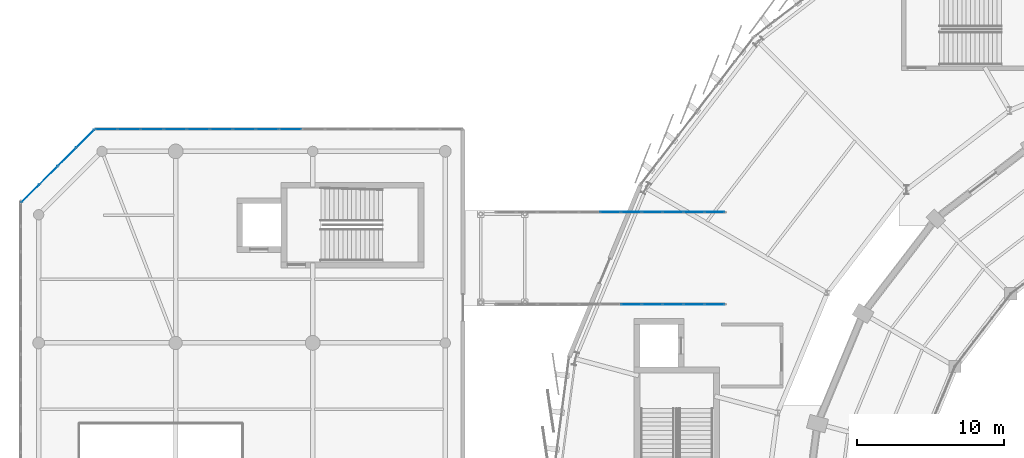
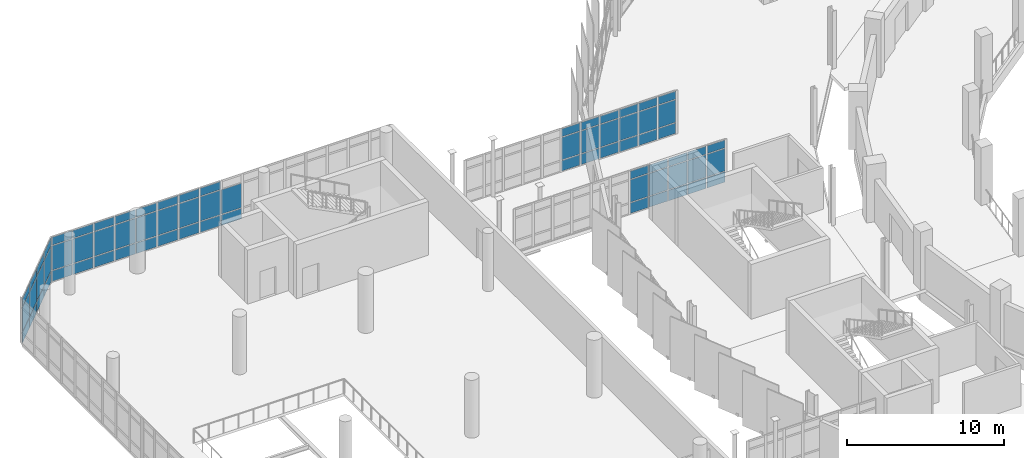
# One storey, part 88 of 125: 71 plates, 4 elements without a shape of their own.
"""IFC4 building model written with IfcOpenShell, lengths in metres."""

from ifc_helpers import new_model, si_unit, direction, frame, origin, origin_2d, place, context, subcontext, project, spatial, rectangle, extrude, material, layer, layer_set, type_object, element, aggregate, save


model = new_model("IFC4")

# Units and contexts
model_context = context("Model", 3, precision=1e-05, world=origin(), true_north=direction((0.0, 1.0)))
body_context = subcontext(model_context, "Body", "Model", "MODEL_VIEW")
ifc_project = project(units=[si_unit("LENGTHUNIT", "METRE"), si_unit("AREAUNIT", "SQUARE_METRE"), si_unit("VOLUMEUNIT", "CUBIC_METRE"), si_unit("PLANEANGLEUNIT", "RADIAN"), si_unit("MASSUNIT", "GRAM", prefix="KILO")], contexts=[model_context])

# Site, building, storey
site_placement = place(None, origin())
site = spatial("IfcSite", under=ifc_project, at=site_placement, CompositionType="ELEMENT")
building_placement = place(site_placement, origin())
building = spatial("IfcBuilding", under=site, at=building_placement, Name="Sohan Crest Arena", CompositionType="ELEMENT")
storey_placement = place(building_placement, frame((0.0, 0.0, 9.0)))
storey = spatial("IfcBuildingStorey", under=building, at=storey_placement, Name="L02", CompositionType="ELEMENT", Elevation=9.0)

# Curtain wall, plates
ifc_material_1 = material(Name="Thermally broken anodised aluminium", Category="aluminium")
ifc_layer_1 = layer(ifc_material_1, 0.199951171875, Name="Thermally broken anodised aluminium")
ifc_layer_set_1 = layer_set([ifc_layer_1], Name="Thermally broken anodised aluminium")
curtain_wall_type_1 = type_object("IfcCurtainWallType", Name="ARC-CW02", PredefinedType="NOTDEFINED", material=ifc_layer_set_1)
curtain_wall_1_placement = place(storey_placement, origin())
curtain_wall_1 = element("IfcCurtainWall", 1, at=curtain_wall_1_placement, inside=storey, type_object=curtain_wall_type_1, Name="Unitised curtain wall CW-214", PredefinedType="NOTDEFINED")
ifc_material_2 = material(Name="Low-E double-glazed insulated glass", Category="glass")
ifc_layer_2 = layer(ifc_material_2, 0.028076171875, Name="Low-E double-glazed insulated glass")
ifc_layer_set_2 = layer_set([ifc_layer_2], Name="Low-E double-glazed insulated glass")
plate_type = type_object("IfcPlateType", Name="ARC-CNP01", PredefinedType="CURTAIN_PANEL", material=ifc_layer_set_2)
plate_1_placement = place(storey_placement, frame((32.28125, 106.0, 0.06005859375), z_axis=(0.0, 0.0, 1.0), x_axis=(-1.0, 0.0, 0.0)))
plate_1 = element("IfcPlate", 2, at=plate_1_placement, type_object=plate_type, Name="CW-214 panel 8.1", PredefinedType="CURTAIN_PANEL", context=body_context, shape_type="SweptSolid", body=[
    extrude(rectangle(XDim=1.49755859375, YDim=0.028076171875, at=origin_2d()), origin(), (0.0, 0.0, 1.0), 0.81005859375),
])
plate_2_placement = place(storey_placement, frame((32.28125, 106.0, 0.93017578125), z_axis=(0.0, 0.0, 1.0), x_axis=(-1.0, 0.0, 0.0)))
plate_2 = element("IfcPlate", 3, at=plate_2_placement, type_object=plate_type, Name="CW-214 panel 8.2", PredefinedType="CURTAIN_PANEL", context=body_context, shape_type="SweptSolid", body=[
    extrude(rectangle(XDim=1.49755859375, YDim=0.028076171875, at=origin_2d()), origin(), (0.0, 0.0, 1.0), 1.889892578125),
])
plate_3_placement = place(storey_placement, frame((30.71875, 106.0, 0.06005859375), z_axis=(0.0, 0.0, 1.0), x_axis=(-1.0, 0.0, 0.0)))
plate_3 = element("IfcPlate", 4, at=plate_3_placement, type_object=plate_type, Name="CW-214 panel 9.1", PredefinedType="CURTAIN_PANEL", context=body_context, shape_type="SweptSolid", body=[
    extrude(rectangle(XDim=1.49755859375, YDim=0.028076171875, at=origin_2d()), origin(), (0.0, 0.0, 1.0), 0.81005859375),
])
plate_4_placement = place(storey_placement, frame((30.71875, 106.0, 0.93017578125), z_axis=(0.0, 0.0, 1.0), x_axis=(-1.0, 0.0, 0.0)))
plate_4 = element("IfcPlate", 5, at=plate_4_placement, type_object=plate_type, Name="CW-214 panel 9.2", PredefinedType="CURTAIN_PANEL", context=body_context, shape_type="SweptSolid", body=[
    extrude(rectangle(XDim=1.49755859375, YDim=0.028076171875, at=origin_2d()), origin(), (0.0, 0.0, 1.0), 1.889892578125),
])
plate_5_placement = place(storey_placement, frame((30.71875, 106.0, 2.8798828125), z_axis=(0.0, 0.0, 1.0), x_axis=(-1.0, 0.0, 0.0)))
plate_5 = element("IfcPlate", 6, at=plate_5_placement, type_object=plate_type, Name="CW-214 panel 9.3", PredefinedType="CURTAIN_PANEL", context=body_context, shape_type="SweptSolid", body=[
    extrude(rectangle(XDim=1.49755859375, YDim=0.028076171875, at=origin_2d()), origin(), (0.0, 0.0, 1.0), 0.610107421875),
])
plate_6_placement = place(storey_placement, frame((29.15625, 106.0, 0.06005859375), z_axis=(0.0, 0.0, 1.0), x_axis=(-1.0, 0.0, 0.0)))
plate_6 = element("IfcPlate", 7, at=plate_6_placement, type_object=plate_type, Name="CW-214 panel 10.1", PredefinedType="CURTAIN_PANEL", context=body_context, shape_type="SweptSolid", body=[
    extrude(rectangle(XDim=1.49755859375, YDim=0.028076171875, at=origin_2d()), origin(), (0.0, 0.0, 1.0), 0.81005859375),
])
plate_7_placement = place(storey_placement, frame((29.15625, 106.0, 0.93017578125), z_axis=(0.0, 0.0, 1.0), x_axis=(-1.0, 0.0, 0.0)))
plate_7 = element("IfcPlate", 8, at=plate_7_placement, type_object=plate_type, Name="CW-214 panel 10.2", PredefinedType="CURTAIN_PANEL", context=body_context, shape_type="SweptSolid", body=[
    extrude(rectangle(XDim=1.49755859375, YDim=0.028076171875, at=origin_2d()), origin(), (0.0, 0.0, 1.0), 1.889892578125),
])
plate_8_placement = place(storey_placement, frame((29.15625, 106.0, 2.8798828125), z_axis=(0.0, 0.0, 1.0), x_axis=(-1.0, 0.0, 0.0)))
plate_8 = element("IfcPlate", 9, at=plate_8_placement, type_object=plate_type, Name="CW-214 panel 10.3", PredefinedType="CURTAIN_PANEL", context=body_context, shape_type="SweptSolid", body=[
    extrude(rectangle(XDim=1.49755859375, YDim=0.028076171875, at=origin_2d()), origin(), (0.0, 0.0, 1.0), 0.610107421875),
])
plate_9_placement = place(storey_placement, frame((27.59375, 106.0, 0.06005859375), z_axis=(0.0, 0.0, 1.0), x_axis=(-1.0, 0.0, 0.0)))
plate_9 = element("IfcPlate", 10, at=plate_9_placement, type_object=plate_type, Name="CW-214 panel 11.1", PredefinedType="CURTAIN_PANEL", context=body_context, shape_type="SweptSolid", body=[
    extrude(rectangle(XDim=1.49755859375, YDim=0.028076171875, at=origin_2d()), origin(), (0.0, 0.0, 1.0), 0.81005859375),
])
plate_10_placement = place(storey_placement, frame((27.59375, 106.0, 0.93017578125), z_axis=(0.0, 0.0, 1.0), x_axis=(-1.0, 0.0, 0.0)))
plate_10 = element("IfcPlate", 11, at=plate_10_placement, type_object=plate_type, Name="CW-214 panel 11.2", PredefinedType="CURTAIN_PANEL", context=body_context, shape_type="SweptSolid", body=[
    extrude(rectangle(XDim=1.49755859375, YDim=0.028076171875, at=origin_2d()), origin(), (0.0, 0.0, 1.0), 1.889892578125),
])
plate_11_placement = place(storey_placement, frame((27.59375, 106.0, 2.8798828125), z_axis=(0.0, 0.0, 1.0), x_axis=(-1.0, 0.0, 0.0)))
plate_11 = element("IfcPlate", 12, at=plate_11_placement, type_object=plate_type, Name="CW-214 panel 11.3", PredefinedType="CURTAIN_PANEL", context=body_context, shape_type="SweptSolid", body=[
    extrude(rectangle(XDim=1.49755859375, YDim=0.028076171875, at=origin_2d()), origin(), (0.0, 0.0, 1.0), 0.610107421875),
])
plate_12_placement = place(storey_placement, frame((26.03125, 106.0, 0.06005859375), z_axis=(0.0, 0.0, 1.0), x_axis=(-1.0, 0.0, 0.0)))
plate_12 = element("IfcPlate", 13, at=plate_12_placement, type_object=plate_type, Name="CW-214 panel 12.1", PredefinedType="CURTAIN_PANEL", context=body_context, shape_type="SweptSolid", body=[
    extrude(rectangle(XDim=1.49755859375, YDim=0.028076171875, at=origin_2d()), origin(), (0.0, 0.0, 1.0), 0.81005859375),
])
plate_13_placement = place(storey_placement, frame((26.03125, 106.0, 0.93017578125), z_axis=(0.0, 0.0, 1.0), x_axis=(-1.0, 0.0, 0.0)))
plate_13 = element("IfcPlate", 14, at=plate_13_placement, type_object=plate_type, Name="CW-214 panel 12.2", PredefinedType="CURTAIN_PANEL", context=body_context, shape_type="SweptSolid", body=[
    extrude(rectangle(XDim=1.49755859375, YDim=0.028076171875, at=origin_2d()), origin(), (0.0, 0.0, 1.0), 1.889892578125),
])
plate_14_placement = place(storey_placement, frame((26.03125, 106.0, 2.8798828125), z_axis=(0.0, 0.0, 1.0), x_axis=(-1.0, 0.0, 0.0)))
plate_14 = element("IfcPlate", 15, at=plate_14_placement, type_object=plate_type, Name="CW-214 panel 12.3", PredefinedType="CURTAIN_PANEL", context=body_context, shape_type="SweptSolid", body=[
    extrude(rectangle(XDim=1.49755859375, YDim=0.028076171875, at=origin_2d()), origin(), (0.0, 0.0, 1.0), 0.610107421875),
])
plate_15_placement = place(storey_placement, frame((24.46875, 106.0, 0.06005859375), z_axis=(0.0, 0.0, 1.0), x_axis=(-1.0, 0.0, 0.0)))
plate_15 = element("IfcPlate", 16, at=plate_15_placement, type_object=plate_type, Name="CW-214 panel 13.1", PredefinedType="CURTAIN_PANEL", context=body_context, shape_type="SweptSolid", body=[
    extrude(rectangle(XDim=1.49755859375, YDim=0.028076171875, at=origin_2d()), origin(), (0.0, 0.0, 1.0), 0.81005859375),
])
plate_16_placement = place(storey_placement, frame((24.46875, 106.0, 0.93017578125), z_axis=(0.0, 0.0, 1.0), x_axis=(-1.0, 0.0, 0.0)))
plate_16 = element("IfcPlate", 17, at=plate_16_placement, type_object=plate_type, Name="CW-214 panel 13.2", PredefinedType="CURTAIN_PANEL", context=body_context, shape_type="SweptSolid", body=[
    extrude(rectangle(XDim=1.49755859375, YDim=0.028076171875, at=origin_2d()), origin(), (0.0, 0.0, 1.0), 1.889892578125),
])
plate_17_placement = place(storey_placement, frame((24.46875, 106.0, 2.8798828125), z_axis=(0.0, 0.0, 1.0), x_axis=(-1.0, 0.0, 0.0)))
plate_17 = element("IfcPlate", 18, at=plate_17_placement, type_object=plate_type, Name="CW-214 panel 13.3", PredefinedType="CURTAIN_PANEL", context=body_context, shape_type="SweptSolid", body=[
    extrude(rectangle(XDim=1.49755859375, YDim=0.028076171875, at=origin_2d()), origin(), (0.0, 0.0, 1.0), 0.610107421875),
])
plate_18_placement = place(storey_placement, frame((22.90625, 106.0, 0.06005859375), z_axis=(0.0, 0.0, 1.0), x_axis=(-1.0, 0.0, 0.0)))
plate_18 = element("IfcPlate", 19, at=plate_18_placement, type_object=plate_type, Name="CW-214 panel 14.1", PredefinedType="CURTAIN_PANEL", context=body_context, shape_type="SweptSolid", body=[
    extrude(rectangle(XDim=1.49755859375, YDim=0.028076171875, at=origin_2d()), origin(), (0.0, 0.0, 1.0), 0.81005859375),
])
plate_19_placement = place(storey_placement, frame((22.90625, 106.0, 0.93017578125), z_axis=(0.0, 0.0, 1.0), x_axis=(-1.0, 0.0, 0.0)))
plate_19 = element("IfcPlate", 20, at=plate_19_placement, type_object=plate_type, Name="CW-214 panel 14.2", PredefinedType="CURTAIN_PANEL", context=body_context, shape_type="SweptSolid", body=[
    extrude(rectangle(XDim=1.49755859375, YDim=0.028076171875, at=origin_2d()), origin(), (0.0, 0.0, 1.0), 1.889892578125),
])
plate_20_placement = place(storey_placement, frame((22.90625, 106.0, 2.8798828125), z_axis=(0.0, 0.0, 1.0), x_axis=(-1.0, 0.0, 0.0)))
plate_20 = element("IfcPlate", 21, at=plate_20_placement, type_object=plate_type, Name="CW-214 panel 14.3", PredefinedType="CURTAIN_PANEL", context=body_context, shape_type="SweptSolid", body=[
    extrude(rectangle(XDim=1.49755859375, YDim=0.028076171875, at=origin_2d()), origin(), (0.0, 0.0, 1.0), 0.610107421875),
])
plate_21_placement = place(storey_placement, frame((21.34375, 106.0, 0.06005859375), z_axis=(0.0, 0.0, 1.0), x_axis=(-1.0, 0.0, 0.0)))
plate_21 = element("IfcPlate", 22, at=plate_21_placement, type_object=plate_type, Name="CW-214 panel 15.1", PredefinedType="CURTAIN_PANEL", context=body_context, shape_type="SweptSolid", body=[
    extrude(rectangle(XDim=1.49755859375, YDim=0.028076171875, at=origin_2d()), origin(), (0.0, 0.0, 1.0), 0.81005859375),
])
plate_22_placement = place(storey_placement, frame((21.34375, 106.0, 0.93017578125), z_axis=(0.0, 0.0, 1.0), x_axis=(-1.0, 0.0, 0.0)))
plate_22 = element("IfcPlate", 23, at=plate_22_placement, type_object=plate_type, Name="CW-214 panel 15.2", PredefinedType="CURTAIN_PANEL", context=body_context, shape_type="SweptSolid", body=[
    extrude(rectangle(XDim=1.49755859375, YDim=0.028076171875, at=origin_2d()), origin(), (0.0, 0.0, 1.0), 1.889892578125),
])
plate_23_placement = place(storey_placement, frame((21.34375, 106.0, 2.8798828125), z_axis=(0.0, 0.0, 1.0), x_axis=(-1.0, 0.0, 0.0)))
plate_23 = element("IfcPlate", 24, at=plate_23_placement, type_object=plate_type, Name="CW-214 panel 15.3", PredefinedType="CURTAIN_PANEL", context=body_context, shape_type="SweptSolid", body=[
    extrude(rectangle(XDim=1.49755859375, YDim=0.028076171875, at=origin_2d()), origin(), (0.0, 0.0, 1.0), 0.610107421875),
])
plate_24_placement = place(storey_placement, frame((19.797607421875, 106.0, 0.06005859375), z_axis=(0.0, 0.0, 1.0), x_axis=(-1.0, 0.0, 0.0)))
plate_24 = element("IfcPlate", 25, at=plate_24_placement, type_object=plate_type, Name="CW-214 panel 16.1", PredefinedType="CURTAIN_PANEL", context=body_context, shape_type="SweptSolid", body=[
    extrude(rectangle(XDim=1.465087890625, YDim=0.028076171875, at=origin_2d()), origin(), (0.0, 0.0, 1.0), 0.81005859375),
])
plate_25_placement = place(storey_placement, frame((19.797607421875, 106.0, 0.93017578125), z_axis=(0.0, 0.0, 1.0), x_axis=(-1.0, 0.0, 0.0)))
plate_25 = element("IfcPlate", 26, at=plate_25_placement, type_object=plate_type, Name="CW-214 panel 16.2", PredefinedType="CURTAIN_PANEL", context=body_context, shape_type="SweptSolid", body=[
    extrude(rectangle(XDim=1.465087890625, YDim=0.028076171875, at=origin_2d()), origin(), (0.0, 0.0, 1.0), 1.889892578125),
])
plate_26_placement = place(storey_placement, frame((19.797607421875, 106.0, 2.8798828125), z_axis=(0.0, 0.0, 1.0), x_axis=(-1.0, 0.0, 0.0)))
plate_26 = element("IfcPlate", 27, at=plate_26_placement, type_object=plate_type, Name="CW-214 panel 16.3", PredefinedType="CURTAIN_PANEL", context=body_context, shape_type="SweptSolid", body=[
    extrude(rectangle(XDim=1.465087890625, YDim=0.028076171875, at=origin_2d()), origin(), (0.0, 0.0, 1.0), 0.610107421875),
])
aggregate(curtain_wall_1, [plate_1, plate_2, plate_3, plate_4, plate_5, plate_6, plate_7, plate_8, plate_9, plate_10, plate_11, plate_12, plate_13, plate_14, plate_15, plate_16, plate_17, plate_18, plate_19, plate_20, plate_21, plate_22, plate_23, plate_24, plate_25, plate_26])

curtain_wall_2_placement = place(storey_placement, origin())
curtain_wall_2 = element("IfcCurtainWall", 28, at=curtain_wall_2_placement, inside=storey, type_object=curtain_wall_type_1, Name="Unitised curtain wall CW-215", PredefinedType="NOTDEFINED")
plate_27_placement = place(storey_placement, frame((18.363525390625, 105.363525390625, 0.06005859375), z_axis=(0.0, 0.0, 1.0), x_axis=(-0.707106781187, -0.707106781187, 0.0)))
plate_27 = element("IfcPlate", 29, at=plate_27_placement, type_object=plate_type, Name="CW-215 panel 1.1", PredefinedType="CURTAIN_PANEL", context=body_context, shape_type="SweptSolid", body=[
    extrude(rectangle(XDim=1.670166015625, YDim=0.028076171875, at=origin_2d()), origin(), (0.0, 0.0, 1.0), 0.81005859375),
])
plate_28_placement = place(storey_placement, frame((18.363525390625, 105.363525390625, 0.93017578125), z_axis=(0.0, 0.0, 1.0), x_axis=(-0.707106781187, -0.707106781187, 0.0)))
plate_28 = element("IfcPlate", 30, at=plate_28_placement, type_object=plate_type, Name="CW-215 panel 1.2", PredefinedType="CURTAIN_PANEL", context=body_context, shape_type="SweptSolid", body=[
    extrude(rectangle(XDim=1.670166015625, YDim=0.028076171875, at=origin_2d()), origin(), (0.0, 0.0, 1.0), 1.889892578125),
])
plate_29_placement = place(storey_placement, frame((18.363525390625, 105.363525390625, 2.8798828125), z_axis=(0.0, 0.0, 1.0), x_axis=(-0.707106781187, -0.707106781187, 0.0)))
plate_29 = element("IfcPlate", 31, at=plate_29_placement, type_object=plate_type, Name="CW-215 panel 1.3", PredefinedType="CURTAIN_PANEL", context=body_context, shape_type="SweptSolid", body=[
    extrude(rectangle(XDim=1.670166015625, YDim=0.028076171875, at=origin_2d()), origin(), (0.0, 0.0, 1.0), 0.610107421875),
])
plate_30_placement = place(storey_placement, frame((17.125, 104.125, 0.06005859375), z_axis=(0.0, 0.0, 1.0), x_axis=(-0.707106781187, -0.707106781187, 0.0)))
plate_30 = element("IfcPlate", 32, at=plate_30_placement, type_object=plate_type, Name="CW-215 panel 2.1", PredefinedType="CURTAIN_PANEL", context=body_context, shape_type="SweptSolid", body=[
    extrude(rectangle(XDim=1.702880859375, YDim=0.028076171875, at=origin_2d()), origin(), (0.0, 0.0, 1.0), 0.81005859375),
])
plate_31_placement = place(storey_placement, frame((17.125, 104.125, 0.93017578125), z_axis=(0.0, 0.0, 1.0), x_axis=(-0.707106781187, -0.707106781187, 0.0)))
plate_31 = element("IfcPlate", 33, at=plate_31_placement, type_object=plate_type, Name="CW-215 panel 2.2", PredefinedType="CURTAIN_PANEL", context=body_context, shape_type="SweptSolid", body=[
    extrude(rectangle(XDim=1.702880859375, YDim=0.028076171875, at=origin_2d()), origin(), (0.0, 0.0, 1.0), 1.889892578125),
])
plate_32_placement = place(storey_placement, frame((17.125, 104.125, 2.8798828125), z_axis=(0.0, 0.0, 1.0), x_axis=(-0.707106781187, -0.707106781187, 0.0)))
plate_32 = element("IfcPlate", 34, at=plate_32_placement, type_object=plate_type, Name="CW-215 panel 2.3", PredefinedType="CURTAIN_PANEL", context=body_context, shape_type="SweptSolid", body=[
    extrude(rectangle(XDim=1.702880859375, YDim=0.028076171875, at=origin_2d()), origin(), (0.0, 0.0, 1.0), 0.610107421875),
])
plate_33_placement = place(storey_placement, frame((15.875, 102.875, 0.06005859375), z_axis=(0.0, 0.0, 1.0), x_axis=(-0.707106781187, -0.707106781187, 0.0)))
plate_33 = element("IfcPlate", 35, at=plate_33_placement, type_object=plate_type, Name="CW-215 panel 3.1", PredefinedType="CURTAIN_PANEL", context=body_context, shape_type="SweptSolid", body=[
    extrude(rectangle(XDim=1.702880859375, YDim=0.028076171875, at=origin_2d()), origin(), (0.0, 0.0, 1.0), 0.81005859375),
])
plate_34_placement = place(storey_placement, frame((15.875, 102.875, 0.93017578125), z_axis=(0.0, 0.0, 1.0), x_axis=(-0.707106781187, -0.707106781187, 0.0)))
plate_34 = element("IfcPlate", 36, at=plate_34_placement, type_object=plate_type, Name="CW-215 panel 3.2", PredefinedType="CURTAIN_PANEL", context=body_context, shape_type="SweptSolid", body=[
    extrude(rectangle(XDim=1.702880859375, YDim=0.028076171875, at=origin_2d()), origin(), (0.0, 0.0, 1.0), 1.889892578125),
])
plate_35_placement = place(storey_placement, frame((15.875, 102.875, 2.8798828125), z_axis=(0.0, 0.0, 1.0), x_axis=(-0.707106781187, -0.707106781187, 0.0)))
plate_35 = element("IfcPlate", 37, at=plate_35_placement, type_object=plate_type, Name="CW-215 panel 3.3", PredefinedType="CURTAIN_PANEL", context=body_context, shape_type="SweptSolid", body=[
    extrude(rectangle(XDim=1.702880859375, YDim=0.028076171875, at=origin_2d()), origin(), (0.0, 0.0, 1.0), 0.610107421875),
])
plate_36_placement = place(storey_placement, frame((14.636474609375, 101.636474609375, 0.06005859375), z_axis=(0.0, 0.0, 1.0), x_axis=(-0.707106781187, -0.707106781187, 0.0)))
plate_36 = element("IfcPlate", 38, at=plate_36_placement, type_object=plate_type, Name="CW-215 panel 4.1", PredefinedType="CURTAIN_PANEL", context=body_context, shape_type="SweptSolid", body=[
    extrude(rectangle(XDim=1.670166015625, YDim=0.028076171875, at=origin_2d()), origin(), (0.0, 0.0, 1.0), 0.81005859375),
])
plate_37_placement = place(storey_placement, frame((14.636474609375, 101.636474609375, 0.93017578125), z_axis=(0.0, 0.0, 1.0), x_axis=(-0.707106781187, -0.707106781187, 0.0)))
plate_37 = element("IfcPlate", 39, at=plate_37_placement, type_object=plate_type, Name="CW-215 panel 4.2", PredefinedType="CURTAIN_PANEL", context=body_context, shape_type="SweptSolid", body=[
    extrude(rectangle(XDim=1.670166015625, YDim=0.028076171875, at=origin_2d()), origin(), (0.0, 0.0, 1.0), 1.889892578125),
])
plate_38_placement = place(storey_placement, frame((14.636474609375, 101.636474609375, 2.8798828125), z_axis=(0.0, 0.0, 1.0), x_axis=(-0.707106781187, -0.707106781187, 0.0)))
plate_38 = element("IfcPlate", 40, at=plate_38_placement, type_object=plate_type, Name="CW-215 panel 4.3", PredefinedType="CURTAIN_PANEL", context=body_context, shape_type="SweptSolid", body=[
    extrude(rectangle(XDim=1.670166015625, YDim=0.028076171875, at=origin_2d()), origin(), (0.0, 0.0, 1.0), 0.610107421875),
])
aggregate(curtain_wall_2, [plate_27, plate_28, plate_29, plate_30, plate_31, plate_32, plate_33, plate_34, plate_35, plate_36, plate_37, plate_38])

ifc_layer_3 = layer(ifc_material_1, 0.18994140625, Name="Thermally broken anodised aluminium")
ifc_layer_set_3 = layer_set([ifc_layer_3], Name="Thermally broken anodised aluminium")
curtain_wall_type_2 = type_object("IfcCurtainWallType", Name="ARC-CW05", PredefinedType="NOTDEFINED", material=ifc_layer_set_3)
curtain_wall_3_placement = place(storey_placement, origin())
curtain_wall_3 = element("IfcCurtainWall", 41, at=curtain_wall_3_placement, inside=storey, type_object=curtain_wall_type_2, Name="Unitised curtain wall CW-235", PredefinedType="NOTDEFINED")
plate_39_placement = place(storey_placement, frame((55.418212890625, 94.1201171875, 0.06005859375), z_axis=(0.0, 0.0, 1.0), x_axis=(1.0, 0.0, 0.0)))
plate_39 = element("IfcPlate", 42, at=plate_39_placement, type_object=plate_type, Name="CW-235 panel 7.1", PredefinedType="CURTAIN_PANEL", context=body_context, shape_type="SweptSolid", body=[
    extrude(rectangle(XDim=1.353271484375, YDim=0.028076171875, at=origin_2d()), origin(), (0.0, 0.0, 1.0), 0.81005859375),
])
plate_40_placement = place(storey_placement, frame((55.418212890625, 94.1201171875, 0.93017578125), z_axis=(0.0, 0.0, 1.0), x_axis=(1.0, 0.0, 0.0)))
plate_40 = element("IfcPlate", 43, at=plate_40_placement, type_object=plate_type, Name="CW-235 panel 7.2", PredefinedType="CURTAIN_PANEL", context=body_context, shape_type="SweptSolid", body=[
    extrude(rectangle(XDim=1.353271484375, YDim=0.028076171875, at=origin_2d()), origin(), (0.0, 0.0, 1.0), 1.739990234375),
])
plate_41_placement = place(storey_placement, frame((55.418212890625, 94.1201171875, 2.72998046875), z_axis=(0.0, 0.0, 1.0), x_axis=(1.0, 0.0, 0.0)))
plate_41 = element("IfcPlate", 44, at=plate_41_placement, type_object=plate_type, Name="CW-235 panel 7.3", PredefinedType="CURTAIN_PANEL", context=body_context, shape_type="SweptSolid", body=[
    extrude(rectangle(XDim=1.353271484375, YDim=0.028076171875, at=origin_2d()), origin(), (0.0, 0.0, 1.0), 0.610107421875),
])
plate_42_placement = place(storey_placement, frame((56.83642578125, 94.1201171875, 0.06005859375), z_axis=(0.0, 0.0, 1.0), x_axis=(1.0, 0.0, 0.0)))
plate_42 = element("IfcPlate", 45, at=plate_42_placement, type_object=plate_type, Name="CW-235 panel 8.1", PredefinedType="CURTAIN_PANEL", context=body_context, shape_type="SweptSolid", body=[
    extrude(rectangle(XDim=1.353271484375, YDim=0.028076171875, at=origin_2d()), origin(), (0.0, 0.0, 1.0), 0.81005859375),
])
plate_43_placement = place(storey_placement, frame((56.83642578125, 94.1201171875, 0.93017578125), z_axis=(0.0, 0.0, 1.0), x_axis=(1.0, 0.0, 0.0)))
plate_43 = element("IfcPlate", 46, at=plate_43_placement, type_object=plate_type, Name="CW-235 panel 8.2", PredefinedType="CURTAIN_PANEL", context=body_context, shape_type="SweptSolid", body=[
    extrude(rectangle(XDim=1.353271484375, YDim=0.028076171875, at=origin_2d()), origin(), (0.0, 0.0, 1.0), 1.739990234375),
])
plate_44_placement = place(storey_placement, frame((56.83642578125, 94.1201171875, 2.72998046875), z_axis=(0.0, 0.0, 1.0), x_axis=(1.0, 0.0, 0.0)))
plate_44 = element("IfcPlate", 47, at=plate_44_placement, type_object=plate_type, Name="CW-235 panel 8.3", PredefinedType="CURTAIN_PANEL", context=body_context, shape_type="SweptSolid", body=[
    extrude(rectangle(XDim=1.353271484375, YDim=0.028076171875, at=origin_2d()), origin(), (0.0, 0.0, 1.0), 0.610107421875),
])
plate_45_placement = place(storey_placement, frame((58.254638671875, 94.1201171875, 0.06005859375), z_axis=(0.0, 0.0, 1.0), x_axis=(1.0, 0.0, 0.0)))
plate_45 = element("IfcPlate", 48, at=plate_45_placement, type_object=plate_type, Name="CW-235 panel 9.1", PredefinedType="CURTAIN_PANEL", context=body_context, shape_type="SweptSolid", body=[
    extrude(rectangle(XDim=1.353271484375, YDim=0.028076171875, at=origin_2d()), origin(), (0.0, 0.0, 1.0), 0.81005859375),
])
plate_46_placement = place(storey_placement, frame((58.254638671875, 94.1201171875, 0.93017578125), z_axis=(0.0, 0.0, 1.0), x_axis=(1.0, 0.0, 0.0)))
plate_46 = element("IfcPlate", 49, at=plate_46_placement, type_object=plate_type, Name="CW-235 panel 9.2", PredefinedType="CURTAIN_PANEL", context=body_context, shape_type="SweptSolid", body=[
    extrude(rectangle(XDim=1.353271484375, YDim=0.028076171875, at=origin_2d()), origin(), (0.0, 0.0, 1.0), 1.739990234375),
])
plate_47_placement = place(storey_placement, frame((58.254638671875, 94.1201171875, 2.72998046875), z_axis=(0.0, 0.0, 1.0), x_axis=(1.0, 0.0, 0.0)))
plate_47 = element("IfcPlate", 50, at=plate_47_placement, type_object=plate_type, Name="CW-235 panel 9.3", PredefinedType="CURTAIN_PANEL", context=body_context, shape_type="SweptSolid", body=[
    extrude(rectangle(XDim=1.353271484375, YDim=0.028076171875, at=origin_2d()), origin(), (0.0, 0.0, 1.0), 0.610107421875),
])
plate_48_placement = place(storey_placement, frame((59.672607421875, 94.1201171875, 0.06005859375), z_axis=(0.0, 0.0, 1.0), x_axis=(1.0, 0.0, 0.0)))
plate_48 = element("IfcPlate", 51, at=plate_48_placement, type_object=plate_type, Name="CW-235 panel 10.1", PredefinedType="CURTAIN_PANEL", context=body_context, shape_type="SweptSolid", body=[
    extrude(rectangle(XDim=1.353271484375, YDim=0.028076171875, at=origin_2d()), origin(), (0.0, 0.0, 1.0), 0.81005859375),
])
plate_49_placement = place(storey_placement, frame((59.672607421875, 94.1201171875, 0.93017578125), z_axis=(0.0, 0.0, 1.0), x_axis=(1.0, 0.0, 0.0)))
plate_49 = element("IfcPlate", 52, at=plate_49_placement, type_object=plate_type, Name="CW-235 panel 10.2", PredefinedType="CURTAIN_PANEL", context=body_context, shape_type="SweptSolid", body=[
    extrude(rectangle(XDim=1.353271484375, YDim=0.028076171875, at=origin_2d()), origin(), (0.0, 0.0, 1.0), 1.739990234375),
])
plate_50_placement = place(storey_placement, frame((59.672607421875, 94.1201171875, 2.72998046875), z_axis=(0.0, 0.0, 1.0), x_axis=(1.0, 0.0, 0.0)))
plate_50 = element("IfcPlate", 53, at=plate_50_placement, type_object=plate_type, Name="CW-235 panel 10.3", PredefinedType="CURTAIN_PANEL", context=body_context, shape_type="SweptSolid", body=[
    extrude(rectangle(XDim=1.353271484375, YDim=0.028076171875, at=origin_2d()), origin(), (0.0, 0.0, 1.0), 0.610107421875),
])
plate_51_placement = place(storey_placement, frame((61.07470703125, 94.1201171875, 0.06005859375), z_axis=(0.0, 0.0, 1.0), x_axis=(1.0, 0.0, 0.0)))
plate_51 = element("IfcPlate", 54, at=plate_51_placement, type_object=plate_type, Name="CW-235 panel 11.1", PredefinedType="CURTAIN_PANEL", context=body_context, shape_type="SweptSolid", body=[
    extrude(rectangle(XDim=1.32080078125, YDim=0.028076171875, at=origin_2d()), origin(), (0.0, 0.0, 1.0), 0.81005859375),
])
plate_52_placement = place(storey_placement, frame((61.07470703125, 94.1201171875, 0.93017578125), z_axis=(0.0, 0.0, 1.0), x_axis=(1.0, 0.0, 0.0)))
plate_52 = element("IfcPlate", 55, at=plate_52_placement, type_object=plate_type, Name="CW-235 panel 11.2", PredefinedType="CURTAIN_PANEL", context=body_context, shape_type="SweptSolid", body=[
    extrude(rectangle(XDim=1.32080078125, YDim=0.028076171875, at=origin_2d()), origin(), (0.0, 0.0, 1.0), 1.739990234375),
])
plate_53_placement = place(storey_placement, frame((61.07470703125, 94.1201171875, 2.72998046875), z_axis=(0.0, 0.0, 1.0), x_axis=(1.0, 0.0, 0.0)))
plate_53 = element("IfcPlate", 56, at=plate_53_placement, type_object=plate_type, Name="CW-235 panel 11.3", PredefinedType="CURTAIN_PANEL", context=body_context, shape_type="SweptSolid", body=[
    extrude(rectangle(XDim=1.32080078125, YDim=0.028076171875, at=origin_2d()), origin(), (0.0, 0.0, 1.0), 0.610107421875),
])
aggregate(curtain_wall_3, [plate_39, plate_40, plate_41, plate_42, plate_43, plate_44, plate_45, plate_46, plate_47, plate_48, plate_49, plate_50, plate_51, plate_52, plate_53])

curtain_wall_4_placement = place(storey_placement, origin())
curtain_wall_4 = element("IfcCurtainWall", 57, at=curtain_wall_4_placement, inside=storey, type_object=curtain_wall_type_2, Name="Unitised curtain wall CW-236", PredefinedType="NOTDEFINED")
plate_54_placement = place(storey_placement, frame((54.0, 100.3798828125, 0.06005859375), z_axis=(0.0, 0.0, 1.0), x_axis=(1.0, 0.0, 0.0)))
plate_54 = element("IfcPlate", 58, at=plate_54_placement, type_object=plate_type, Name="CW-236 panel 6.1", PredefinedType="CURTAIN_PANEL", context=body_context, shape_type="SweptSolid", body=[
    extrude(rectangle(XDim=1.353271484375, YDim=0.028076171875, at=origin_2d()), origin(), (0.0, 0.0, 1.0), 0.81005859375),
])
plate_55_placement = place(storey_placement, frame((54.0, 100.3798828125, 0.93017578125), z_axis=(0.0, 0.0, 1.0), x_axis=(1.0, 0.0, 0.0)))
plate_55 = element("IfcPlate", 59, at=plate_55_placement, type_object=plate_type, Name="CW-236 panel 6.2", PredefinedType="CURTAIN_PANEL", context=body_context, shape_type="SweptSolid", body=[
    extrude(rectangle(XDim=1.353271484375, YDim=0.028076171875, at=origin_2d()), origin(), (0.0, 0.0, 1.0), 1.739990234375),
])
plate_56_placement = place(storey_placement, frame((54.0, 100.3798828125, 2.72998046875), z_axis=(0.0, 0.0, 1.0), x_axis=(1.0, 0.0, 0.0)))
plate_56 = element("IfcPlate", 60, at=plate_56_placement, type_object=plate_type, Name="CW-236 panel 6.3", PredefinedType="CURTAIN_PANEL", context=body_context, shape_type="SweptSolid", body=[
    extrude(rectangle(XDim=1.353271484375, YDim=0.028076171875, at=origin_2d()), origin(), (0.0, 0.0, 1.0), 0.610107421875),
])
plate_57_placement = place(storey_placement, frame((55.418212890625, 100.3798828125, 0.06005859375), z_axis=(0.0, 0.0, 1.0), x_axis=(1.0, 0.0, 0.0)))
plate_57 = element("IfcPlate", 61, at=plate_57_placement, type_object=plate_type, Name="CW-236 panel 7.1", PredefinedType="CURTAIN_PANEL", context=body_context, shape_type="SweptSolid", body=[
    extrude(rectangle(XDim=1.353271484375, YDim=0.028076171875, at=origin_2d()), origin(), (0.0, 0.0, 1.0), 0.81005859375),
])
plate_58_placement = place(storey_placement, frame((55.418212890625, 100.3798828125, 0.93017578125), z_axis=(0.0, 0.0, 1.0), x_axis=(1.0, 0.0, 0.0)))
plate_58 = element("IfcPlate", 62, at=plate_58_placement, type_object=plate_type, Name="CW-236 panel 7.2", PredefinedType="CURTAIN_PANEL", context=body_context, shape_type="SweptSolid", body=[
    extrude(rectangle(XDim=1.353271484375, YDim=0.028076171875, at=origin_2d()), origin(), (0.0, 0.0, 1.0), 1.739990234375),
])
plate_59_placement = place(storey_placement, frame((55.418212890625, 100.3798828125, 2.72998046875), z_axis=(0.0, 0.0, 1.0), x_axis=(1.0, 0.0, 0.0)))
plate_59 = element("IfcPlate", 63, at=plate_59_placement, type_object=plate_type, Name="CW-236 panel 7.3", PredefinedType="CURTAIN_PANEL", context=body_context, shape_type="SweptSolid", body=[
    extrude(rectangle(XDim=1.353271484375, YDim=0.028076171875, at=origin_2d()), origin(), (0.0, 0.0, 1.0), 0.610107421875),
])
plate_60_placement = place(storey_placement, frame((56.83642578125, 100.3798828125, 0.06005859375), z_axis=(0.0, 0.0, 1.0), x_axis=(1.0, 0.0, 0.0)))
plate_60 = element("IfcPlate", 64, at=plate_60_placement, type_object=plate_type, Name="CW-236 panel 8.1", PredefinedType="CURTAIN_PANEL", context=body_context, shape_type="SweptSolid", body=[
    extrude(rectangle(XDim=1.353271484375, YDim=0.028076171875, at=origin_2d()), origin(), (0.0, 0.0, 1.0), 0.81005859375),
])
plate_61_placement = place(storey_placement, frame((56.83642578125, 100.3798828125, 0.93017578125), z_axis=(0.0, 0.0, 1.0), x_axis=(1.0, 0.0, 0.0)))
plate_61 = element("IfcPlate", 65, at=plate_61_placement, type_object=plate_type, Name="CW-236 panel 8.2", PredefinedType="CURTAIN_PANEL", context=body_context, shape_type="SweptSolid", body=[
    extrude(rectangle(XDim=1.353271484375, YDim=0.028076171875, at=origin_2d()), origin(), (0.0, 0.0, 1.0), 1.739990234375),
])
plate_62_placement = place(storey_placement, frame((56.83642578125, 100.3798828125, 2.72998046875), z_axis=(0.0, 0.0, 1.0), x_axis=(1.0, 0.0, 0.0)))
plate_62 = element("IfcPlate", 66, at=plate_62_placement, type_object=plate_type, Name="CW-236 panel 8.3", PredefinedType="CURTAIN_PANEL", context=body_context, shape_type="SweptSolid", body=[
    extrude(rectangle(XDim=1.353271484375, YDim=0.028076171875, at=origin_2d()), origin(), (0.0, 0.0, 1.0), 0.610107421875),
])
plate_63_placement = place(storey_placement, frame((58.254638671875, 100.3798828125, 0.06005859375), z_axis=(0.0, 0.0, 1.0), x_axis=(1.0, 0.0, 0.0)))
plate_63 = element("IfcPlate", 67, at=plate_63_placement, type_object=plate_type, Name="CW-236 panel 9.1", PredefinedType="CURTAIN_PANEL", context=body_context, shape_type="SweptSolid", body=[
    extrude(rectangle(XDim=1.353271484375, YDim=0.028076171875, at=origin_2d()), origin(), (0.0, 0.0, 1.0), 0.81005859375),
])
plate_64_placement = place(storey_placement, frame((58.254638671875, 100.3798828125, 0.93017578125), z_axis=(0.0, 0.0, 1.0), x_axis=(1.0, 0.0, 0.0)))
plate_64 = element("IfcPlate", 68, at=plate_64_placement, type_object=plate_type, Name="CW-236 panel 9.2", PredefinedType="CURTAIN_PANEL", context=body_context, shape_type="SweptSolid", body=[
    extrude(rectangle(XDim=1.353271484375, YDim=0.028076171875, at=origin_2d()), origin(), (0.0, 0.0, 1.0), 1.739990234375),
])
plate_65_placement = place(storey_placement, frame((58.254638671875, 100.3798828125, 2.72998046875), z_axis=(0.0, 0.0, 1.0), x_axis=(1.0, 0.0, 0.0)))
plate_65 = element("IfcPlate", 69, at=plate_65_placement, type_object=plate_type, Name="CW-236 panel 9.3", PredefinedType="CURTAIN_PANEL", context=body_context, shape_type="SweptSolid", body=[
    extrude(rectangle(XDim=1.353271484375, YDim=0.028076171875, at=origin_2d()), origin(), (0.0, 0.0, 1.0), 0.610107421875),
])
plate_66_placement = place(storey_placement, frame((59.672607421875, 100.3798828125, 0.06005859375), z_axis=(0.0, 0.0, 1.0), x_axis=(1.0, 0.0, 0.0)))
plate_66 = element("IfcPlate", 70, at=plate_66_placement, type_object=plate_type, Name="CW-236 panel 10.1", PredefinedType="CURTAIN_PANEL", context=body_context, shape_type="SweptSolid", body=[
    extrude(rectangle(XDim=1.353271484375, YDim=0.028076171875, at=origin_2d()), origin(), (0.0, 0.0, 1.0), 0.81005859375),
])
plate_67_placement = place(storey_placement, frame((59.672607421875, 100.3798828125, 0.93017578125), z_axis=(0.0, 0.0, 1.0), x_axis=(1.0, 0.0, 0.0)))
plate_67 = element("IfcPlate", 71, at=plate_67_placement, type_object=plate_type, Name="CW-236 panel 10.2", PredefinedType="CURTAIN_PANEL", context=body_context, shape_type="SweptSolid", body=[
    extrude(rectangle(XDim=1.353271484375, YDim=0.028076171875, at=origin_2d()), origin(), (0.0, 0.0, 1.0), 1.739990234375),
])
plate_68_placement = place(storey_placement, frame((59.672607421875, 100.3798828125, 2.72998046875), z_axis=(0.0, 0.0, 1.0), x_axis=(1.0, 0.0, 0.0)))
plate_68 = element("IfcPlate", 72, at=plate_68_placement, type_object=plate_type, Name="CW-236 panel 10.3", PredefinedType="CURTAIN_PANEL", context=body_context, shape_type="SweptSolid", body=[
    extrude(rectangle(XDim=1.353271484375, YDim=0.028076171875, at=origin_2d()), origin(), (0.0, 0.0, 1.0), 0.610107421875),
])
plate_69_placement = place(storey_placement, frame((61.07470703125, 100.3798828125, 0.06005859375), z_axis=(0.0, 0.0, 1.0), x_axis=(1.0, 0.0, 0.0)))
plate_69 = element("IfcPlate", 73, at=plate_69_placement, type_object=plate_type, Name="CW-236 panel 11.1", PredefinedType="CURTAIN_PANEL", context=body_context, shape_type="SweptSolid", body=[
    extrude(rectangle(XDim=1.32080078125, YDim=0.028076171875, at=origin_2d()), origin(), (0.0, 0.0, 1.0), 0.81005859375),
])
plate_70_placement = place(storey_placement, frame((61.07470703125, 100.3798828125, 0.93017578125), z_axis=(0.0, 0.0, 1.0), x_axis=(1.0, 0.0, 0.0)))
plate_70 = element("IfcPlate", 74, at=plate_70_placement, type_object=plate_type, Name="CW-236 panel 11.2", PredefinedType="CURTAIN_PANEL", context=body_context, shape_type="SweptSolid", body=[
    extrude(rectangle(XDim=1.32080078125, YDim=0.028076171875, at=origin_2d()), origin(), (0.0, 0.0, 1.0), 1.739990234375),
])
plate_71_placement = place(storey_placement, frame((61.07470703125, 100.3798828125, 2.72998046875), z_axis=(0.0, 0.0, 1.0), x_axis=(1.0, 0.0, 0.0)))
plate_71 = element("IfcPlate", 75, at=plate_71_placement, type_object=plate_type, Name="CW-236 panel 11.3", PredefinedType="CURTAIN_PANEL", context=body_context, shape_type="SweptSolid", body=[
    extrude(rectangle(XDim=1.32080078125, YDim=0.028076171875, at=origin_2d()), origin(), (0.0, 0.0, 1.0), 0.610107421875),
])
aggregate(curtain_wall_4, [plate_54, plate_55, plate_56, plate_57, plate_58, plate_59, plate_60, plate_61, plate_62, plate_63, plate_64, plate_65, plate_66, plate_67, plate_68, plate_69, plate_70, plate_71])

save(model, "model.ifc")
